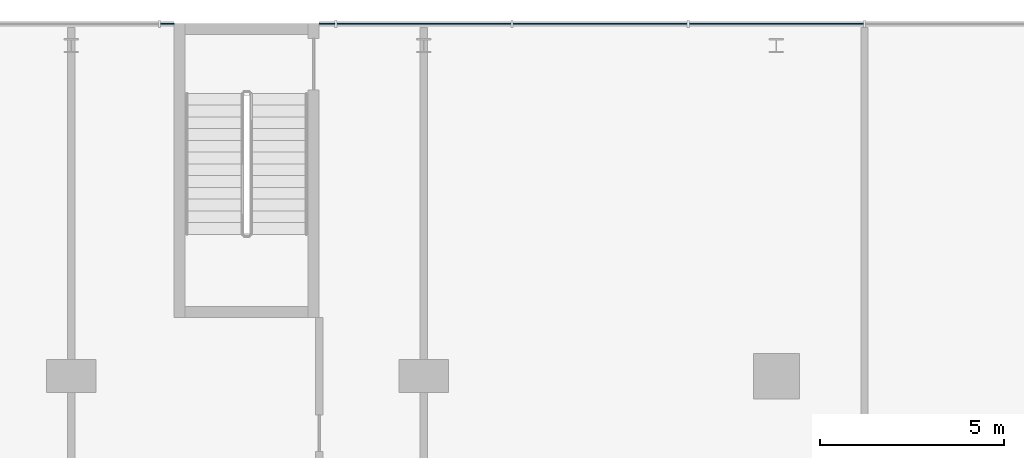
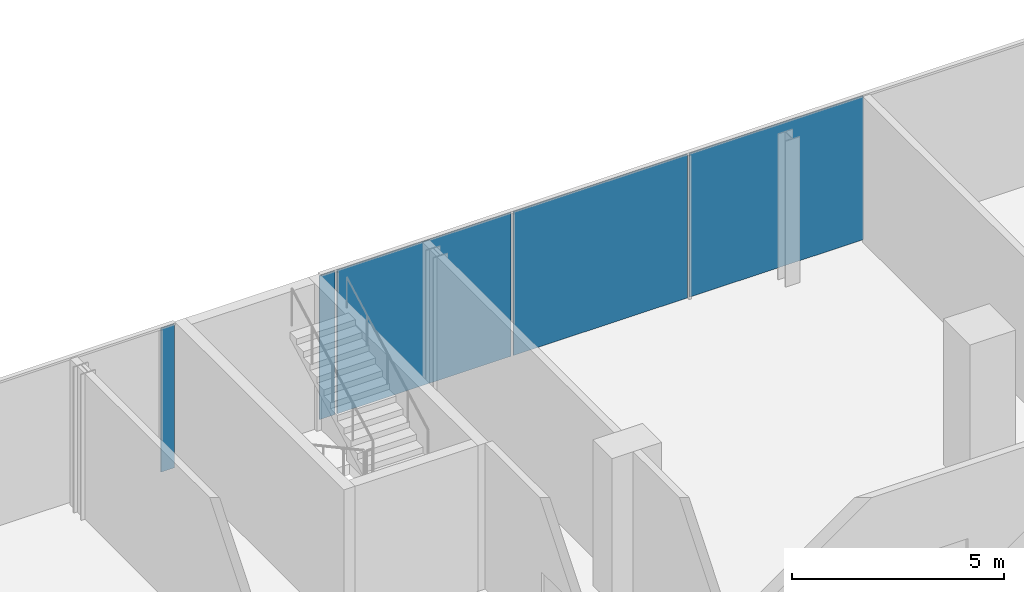
# One storey, part 29 of 45: 5 plates, 1 element without a shape of its own.
"""IFC4 building model written with IfcOpenShell, lengths in metres."""

from ifc_helpers import new_model, si_unit, direction, frame, origin, origin_2d, place, context, subcontext, project, spatial, rectangle, extrude, material, layer, layer_set, type_object, element, aggregate, save


model = new_model("IFC4")

# Units and contexts
model_context = context("Model", 3, precision=1e-05, world=origin(), true_north=direction((0.0, 1.0)))
body_context = subcontext(model_context, "Body", "Model", "MODEL_VIEW")
ifc_project = project(units=[si_unit("LENGTHUNIT", "METRE"), si_unit("AREAUNIT", "SQUARE_METRE"), si_unit("VOLUMEUNIT", "CUBIC_METRE"), si_unit("PLANEANGLEUNIT", "RADIAN"), si_unit("MASSUNIT", "GRAM", prefix="KILO")], contexts=[model_context])

# Site, building, storey
site_placement = place(None, origin())
site = spatial("IfcSite", under=ifc_project, at=site_placement, CompositionType="ELEMENT")
building_placement = place(site_placement, origin())
building = spatial("IfcBuilding", under=site, at=building_placement, Name="Madar Terraces", CompositionType="ELEMENT")
storey_placement = place(building_placement, frame((0.0, 0.0, 6.0)))
storey = spatial("IfcBuildingStorey", under=building, at=storey_placement, Name="L01", CompositionType="ELEMENT", Elevation=6.0)

# Curtain wall, plates
ifc_material_1 = material(Name="Glass, clear low-iron, with black aluminium frame", Category="aluminium")
ifc_layer_1 = layer(ifc_material_1, 0.199951171875)
ifc_layer_set_1 = layer_set([ifc_layer_1], Name="Facade curtain wall, shopfront glazing")
curtain_wall_type = type_object("IfcCurtainWallType", Name="Facade curtain wall, shopfront glazing", PredefinedType="NOTDEFINED", material=ifc_layer_set_1)
curtain_wall_placement = place(storey_placement, origin())
curtain_wall = element("IfcCurtainWall", 1, at=curtain_wall_placement, inside=storey, type_object=curtain_wall_type, Name="Outer skin curtain wall north bay 1", PredefinedType="NOTDEFINED")
ifc_material_2 = material(Name="Glass, ceramic frit dark grey", Category="glass")
ifc_layer_2 = layer(ifc_material_2, 0.028076171875)
ifc_layer_set_2 = layer_set([ifc_layer_2], Name="Facade glass panel 28")
plate_type = type_object("IfcPlateType", Name="Facade glass panel 28", PredefinedType="CURTAIN_PANEL", material=ifc_layer_set_2)
plate_1_placement = place(storey_placement, frame((52.800048828125, 57.60009765625, 0.0), z_axis=(0.0, 0.0, 1.0), x_axis=(-1.0, 0.0, 0.0)))
plate_1 = element("IfcPlate", 2, at=plate_1_placement, type_object=plate_type, Name="Panel 3", PredefinedType="CURTAIN_PANEL", context=body_context, shape_type="SweptSolid", body=[
    extrude(rectangle(XDim=4.739990234375, YDim=0.028076171875, at=origin_2d()), origin(), (0.0, 0.0, 1.0), 4.139892578125),
])
plate_2_placement = place(storey_placement, frame((48.0, 57.60009765625, 0.0), z_axis=(0.0, 0.0, 1.0), x_axis=(-1.0, 0.0, 0.0)))
plate_2 = element("IfcPlate", 3, at=plate_2_placement, type_object=plate_type, Name="Panel 4", PredefinedType="CURTAIN_PANEL", context=body_context, shape_type="SweptSolid", body=[
    extrude(rectangle(XDim=4.739990234375, YDim=0.028076171875, at=origin_2d()), origin(), (0.0, 0.0, 1.0), 4.139892578125),
])
plate_3_placement = place(storey_placement, frame((43.199951171875, 57.60009765625, 0.0), z_axis=(0.0, 0.0, 1.0), x_axis=(-1.0, 0.0, 0.0)))
plate_3 = element("IfcPlate", 4, at=plate_3_placement, type_object=plate_type, Name="Panel 5", PredefinedType="CURTAIN_PANEL", context=body_context, shape_type="SweptSolid", body=[
    extrude(rectangle(XDim=4.739990234375, YDim=0.028076171875, at=origin_2d()), origin(), (0.0, 0.0, 1.0), 4.139892578125),
])
plate_4_placement = place(storey_placement, frame((40.56005859375, 57.60009765625, 0.0), z_axis=(0.0, 0.0, 1.0), x_axis=(-1.0, 0.0, 0.0)))
plate_4 = element("IfcPlate", 5, at=plate_4_placement, type_object=plate_type, Name="Panel 6", PredefinedType="CURTAIN_PANEL", context=body_context, shape_type="SweptSolid", body=[
    extrude(rectangle(XDim=0.419921875, YDim=0.028076171875, at=origin_2d()), origin(), (0.0, 0.0, 1.0), 4.139892578125),
])
plate_5_placement = place(storey_placement, frame((36.215087890625, 57.60009765625, 0.0), z_axis=(0.0, 0.0, 1.0), x_axis=(-1.0, 0.0, 0.0)))
plate_5 = element("IfcPlate", 6, at=plate_5_placement, type_object=plate_type, Name="Panel 7", PredefinedType="CURTAIN_PANEL", context=body_context, shape_type="SweptSolid", body=[
    extrude(rectangle(XDim=0.3701171875, YDim=0.028076171875, at=origin_2d()), origin(), (0.0, 0.0, 1.0), 4.139892578125),
])
aggregate(curtain_wall, [plate_1, plate_2, plate_3, plate_4, plate_5])

save(model, "model.ifc")
